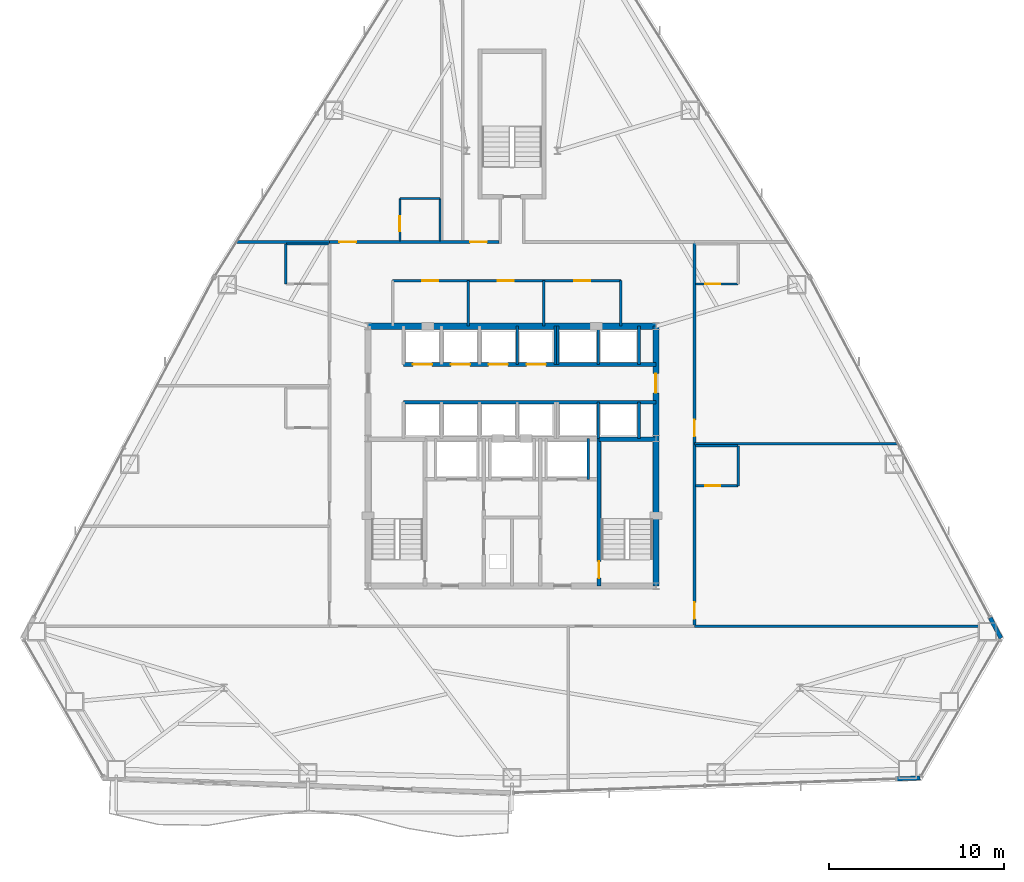
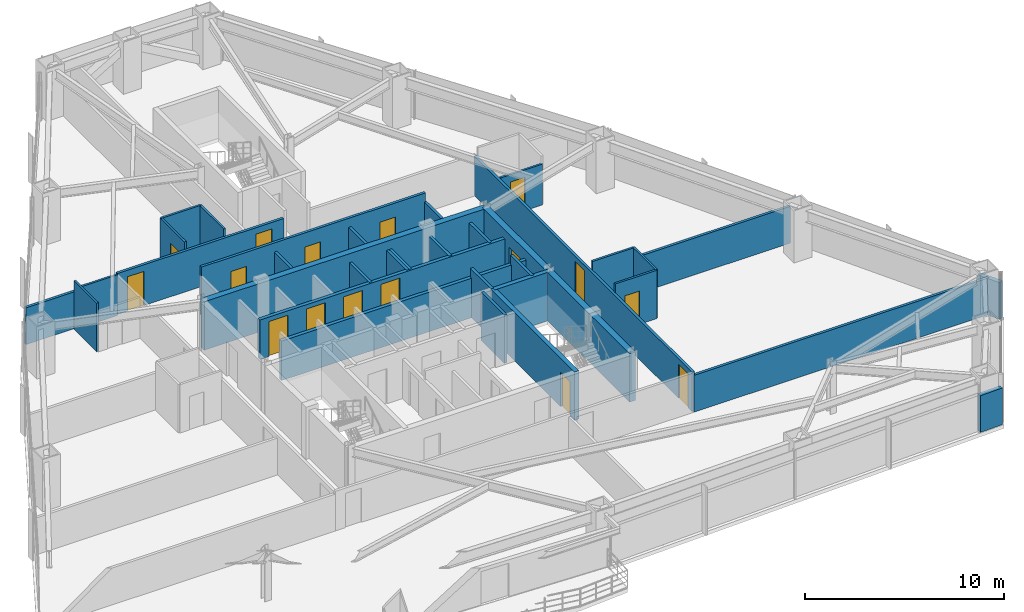
# One storey, part 10 of 13: 34 walls, 16 doors, 16 openings.
"""IFC4 building model written with IfcOpenShell, lengths in metres."""

from ifc_helpers import new_model, si_unit, direction, frame, frame_2d, origin, place, context, subcontext, project, spatial, rectangle, extrude, material, layer, layer_set, type_object, element, fill, save


model = new_model("IFC4")

# Units and contexts
model_context = context("Model", 3, precision=1e-05, world=origin(), true_north=direction((0.0, 1.0)))
body_context = subcontext(model_context, "Body", "Model", "MODEL_VIEW")
ifc_project = project(units=[si_unit("LENGTHUNIT", "METRE"), si_unit("AREAUNIT", "SQUARE_METRE"), si_unit("VOLUMEUNIT", "CUBIC_METRE"), si_unit("PLANEANGLEUNIT", "RADIAN"), si_unit("MASSUNIT", "GRAM", prefix="KILO")], contexts=[model_context])

# Site, building, storey
site_placement = place(None, origin())
site = spatial("IfcSite", under=ifc_project, at=site_placement, CompositionType="ELEMENT")
building_placement = place(site_placement, origin())
building = spatial("IfcBuilding", under=site, at=building_placement, Name="Varakhsha Concourse Tower", CompositionType="ELEMENT")
storey_placement = place(building_placement, frame((0.0, 0.0, 92.60009765625)))
storey = spatial("IfcBuildingStorey", under=building, at=storey_placement, Name="L26", CompositionType="ELEMENT", Elevation=92.60009765625)

# Wall
ifc_material_1 = material(Name="Concrete fc 65 MPa", Category="concrete")
ifc_layer_1 = layer(ifc_material_1, 0.35009765625, Name="WL-CORE-350")
ifc_layer_set_1 = layer_set([ifc_layer_1], Name="Concrete fc 65 MPa")
wall_type_1 = type_object("IfcWallType", Name="WL-CORE-350", PredefinedType="SHEAR", material=ifc_layer_set_1)
wall_1_placement = place(storey_placement, frame((31.800048828125, 31.199951171875, 0.0), z_axis=(0.0, 0.0, 1.0), x_axis=(1.0, 0.0, 0.0)))
element("IfcWall", 1, at=wall_1_placement, inside=storey, type_object=wall_type_1, Name="L26 Wall CWALL-N-L26", PredefinedType="SHEAR", context=body_context, shape_type="SweptSolid", body=[
    extrude(rectangle(XDim=16.39990234375, YDim=0.35009765625, at=frame_2d((8.199951171875, 0.0))), origin(), (0.0, 0.0, 1.0), 2.969970703125),
])

# Wall, opening, door
wall_2_placement = place(storey_placement, frame((48.199951171875, 16.39990234375, 0.0), z_axis=(0.0, 0.0, 1.0), x_axis=(0.0, 1.0, 0.0)))
wall_2 = element("IfcWall", 2, at=wall_2_placement, inside=storey, type_object=wall_type_1, Name="L26 Wall CWALL-E-L26", PredefinedType="SHEAR", context=body_context, shape_type="SweptSolid", body=[
    extrude(rectangle(XDim=14.800048828125, YDim=0.35009765625, at=frame_2d((7.39990234375, 0.0))), origin(), (0.0, 0.0, 1.0), 2.969970703125),
])
opening_1_placement = place(wall_2_placement, frame((11.0, 0.0, 0.0)))
opening_1 = element("IfcOpeningElement", 3, at=opening_1_placement, cuts=wall_2, Name="Opening DL-01", PredefinedType="OPENING", context=body_context, shape_type="SweptSolid", body=[
    extrude(rectangle(XDim=1.10009765625, YDim=2.14990234375, at=frame_2d((0.550048828125, 1.074951171875))), frame((0.0, 0.18505859375, 0.0), z_axis=(0.0, -1.0, 0.0), x_axis=(1.0, 0.0, 0.0)), (0.0, 0.0, 1.0), 0.3701171875),
])
ifc_material_2 = material(Name="Anodised Bronze Architectural Aluminium AA 6063-T6", Category="aluminium")
door_type_1 = type_object("IfcDoorType", Name="DR-LOB-1100", OperationType="NOTDEFINED", PredefinedType="DOOR", material=ifc_material_2)
door_1_placement = place(opening_1_placement, origin())
door_1 = element("IfcDoor", 4, at=door_1_placement, inside=storey, type_object=door_type_1, Name="L26 Lift Lobby East Concourse Door", OperationType="SINGLE_SWING_RIGHT", OverallHeight=2.14990234375, OverallWidth=1.10009765625, PredefinedType="DOOR", context=body_context, shape_type="SweptSolid", body=[
    extrude(rectangle(XDim=1.10009765625, YDim=2.14990234375, at=frame_2d((0.550048828125, 1.074951171875))), frame((0.0, 0.02490234375, 0.0), z_axis=(0.0, -1.0, 0.0), x_axis=(1.0, 0.0, 0.0)), (0.0, 0.0, 1.0), 0.050048828125),
])
fill(opening_1, door_1)

# Walls
ifc_material_3 = material(Name="Concrete fc 45 MPa", Category="concrete")
ifc_layer_2 = layer(ifc_material_3, 0.239990234375, Name="WL-EXT-CRN-240")
ifc_layer_set_2 = layer_set([ifc_layer_2], Name="Concrete fc 45 MPa")
wall_type_2 = type_object("IfcWallType", Name="WL-EXT-CRN-240", PredefinedType="SHEAR", material=ifc_layer_set_2)
for number, where, z_axis, x_axis, name in (
    (5, (61.948486328125, 5.40966796875, 0.0), (0.0, 0.0, 1.0), (0.999336056782, 0.03643412707, 0.0), "L26 Wind-Corner Shoulder Wall F6"),
    (6, (67.862060546875, 13.4267578125, 0.0), (0.0, 0.0, 1.0), (-0.468058524958, 0.883697469281, 0.0), "L26 Wind-Corner Shoulder Wall F8"),
):
    element("IfcWall", number, at=place(storey_placement, frame(where, z_axis=z_axis, x_axis=x_axis)), inside=storey, type_object=wall_type_2, Name=name, PredefinedType="SHEAR", context=body_context, shape_type="SweptSolid", body=[
        extrude(rectangle(XDim=1.3134765625, YDim=0.239990234375, at=frame_2d((0.65673828125, 0.0))), origin(), (0.0, 0.0, 1.0), 2.2529296875),
    ])
ifc_material_4 = material(Name="Acoustic Gypsum Board Partition Assembly", Category="gypsum")
ifc_layer_3 = layer(ifc_material_4, 0.1201171875, Name="WL-PART-120")
ifc_layer_set_3 = layer_set([ifc_layer_3], Name="Acoustic Gypsum Board Partition Assembly")
wall_type_3 = type_object("IfcWallType", Name="WL-PART-120", PredefinedType="PARTITIONING", material=ifc_layer_set_3)
wall_3_placement = place(storey_placement, frame((27.110107421875, 33.610107421875, 0.0), z_axis=(0.0, 0.0, 1.0), x_axis=(0.0, 1.0, 0.0)))
element("IfcWall", 7, at=wall_3_placement, inside=storey, type_object=wall_type_3, Name="L26 Wall ENSW-W-L26-H05", PredefinedType="PARTITIONING", context=body_context, shape_type="SweptSolid", body=[
    extrude(rectangle(XDim=2.27978515625, YDim=0.1201171875, at=frame_2d((1.139892578125, 0.0))), origin(), (0.0, 0.0, 1.0), 2.969970703125),
])
wall_4_placement = place(storey_placement, frame((27.110107421875, 35.889892578125, 0.0), z_axis=(0.0, 0.0, 1.0), x_axis=(1.0, 0.0, 0.0)))
element("IfcWall", 8, at=wall_4_placement, inside=storey, type_object=wall_type_3, Name="L26 Wall ENSW-N-L26-H05", PredefinedType="PARTITIONING", context=body_context, shape_type="SweptSolid", body=[
    extrude(rectangle(XDim=2.429931640625, YDim=0.1201171875, at=frame_2d((1.21484375, 0.0))), origin(), (0.0, 0.0, 1.0), 2.5029296875),
])
wall_5_placement = place(storey_placement, frame((52.889892578125, 22.110107421875, 0.0), z_axis=(0.0, 0.0, 1.0), x_axis=(0.0, 1.0, 0.0)))
element("IfcWall", 9, at=wall_5_placement, inside=storey, type_object=wall_type_3, Name="L26 Wall ENSW-E-L26-H06", PredefinedType="PARTITIONING", context=body_context, shape_type="SweptSolid", body=[
    extrude(rectangle(XDim=2.27978515625, YDim=0.1201171875, at=frame_2d((1.139892578125, 0.0))), origin(), (0.0, 0.0, 1.0), 2.969970703125),
])

# Wall, opening, door
wall_6_placement = place(storey_placement, frame((50.4599609375, 22.110107421875, 0.0), z_axis=(0.0, 0.0, 1.0), x_axis=(1.0, 0.0, 0.0)))
wall_6 = element("IfcWall", 10, at=wall_6_placement, inside=storey, type_object=wall_type_3, Name="L26 Wall ENSW-S-L26-H06", PredefinedType="PARTITIONING", context=body_context, shape_type="SweptSolid", body=[
    extrude(rectangle(XDim=2.429931640625, YDim=0.1201171875, at=frame_2d((1.21484375, 0.0))), origin(), (0.0, 0.0, 1.0), 2.969970703125),
])
opening_2_placement = place(wall_6_placement, frame((0.550048828125, 0.0, 0.0)))
opening_2 = element("IfcOpeningElement", 11, at=opening_2_placement, cuts=wall_6, Name="Opening DI-01", PredefinedType="OPENING", context=body_context, shape_type="SweptSolid", body=[
    extrude(rectangle(XDim=0.85009765625, YDim=2.050048828125, at=frame_2d((0.425048828125, 1.02490234375))), frame((0.0, 0.070068359375, 0.0), z_axis=(0.0, -1.0, 0.0), x_axis=(1.0, 0.0, 0.0)), (0.0, 0.0, 1.0), 0.14013671875),
])
ifc_material_5 = material(Name="Architectural Walnut Acoustic Timber Door", Category="wood")
door_type_2 = type_object("IfcDoorType", Name="DR-INT-850", OperationType="NOTDEFINED", PredefinedType="DOOR", material=ifc_material_5)
door_2_placement = place(opening_2_placement, origin())
door_2 = element("IfcDoor", 12, at=door_2_placement, inside=storey, type_object=door_type_2, Name="L26 En-suite Bathroom Door L26-H06", OperationType="SINGLE_SWING_RIGHT", OverallHeight=2.050048828125, OverallWidth=0.85009765625, PredefinedType="DOOR", context=body_context, shape_type="SweptSolid", body=[
    extrude(rectangle(XDim=0.85009765625, YDim=2.050048828125, at=frame_2d((0.425048828125, 1.02490234375))), frame((0.0, 0.02490234375, 0.0), z_axis=(0.0, -1.0, 0.0), x_axis=(1.0, 0.0, 0.0)), (0.0, 0.0, 1.0), 0.050048828125),
])
fill(opening_2, door_2)

# Wall
wall_7_placement = place(storey_placement, frame((50.4599609375, 24.389892578125, 0.0), z_axis=(0.0, 0.0, 1.0), x_axis=(1.0, 0.0, 0.0)))
element("IfcWall", 13, at=wall_7_placement, inside=storey, type_object=wall_type_3, Name="L26 Wall ENSW-N-L26-H06", PredefinedType="PARTITIONING", context=body_context, shape_type="SweptSolid", body=[
    extrude(rectangle(XDim=2.429931640625, YDim=0.1201171875, at=frame_2d((1.21484375, 0.0))), origin(), (0.0, 0.0, 1.0), 2.969970703125),
])

# Wall, opening, door
wall_8_placement = place(storey_placement, frame((50.4599609375, 33.610107421875, 0.0), z_axis=(0.0, 0.0, 1.0), x_axis=(1.0, 0.0, 0.0)))
wall_8 = element("IfcWall", 14, at=wall_8_placement, inside=storey, type_object=wall_type_3, Name="L26 Wall ENSW-S-L26-H07", PredefinedType="PARTITIONING", context=body_context, shape_type="SweptSolid", body=[
    extrude(rectangle(XDim=2.429931640625, YDim=0.1201171875, at=frame_2d((1.21484375, 0.0))), origin(), (0.0, 0.0, 1.0), 2.5029296875),
])
opening_3_placement = place(wall_8_placement, frame((0.550048828125, 0.0, 0.0)))
opening_3 = element("IfcOpeningElement", 15, at=opening_3_placement, cuts=wall_8, Name="Opening DI-01", PredefinedType="OPENING", context=body_context, shape_type="SweptSolid", body=[
    extrude(rectangle(XDim=0.85009765625, YDim=2.050048828125, at=frame_2d((0.425048828125, 1.02490234375))), frame((0.0, 0.070068359375, 0.0), z_axis=(0.0, -1.0, 0.0), x_axis=(1.0, 0.0, 0.0)), (0.0, 0.0, 1.0), 0.14013671875),
])
door_3_placement = place(opening_3_placement, origin())
door_3 = element("IfcDoor", 16, at=door_3_placement, inside=storey, type_object=door_type_2, Name="L26 En-suite Bathroom Door L26-H07", OperationType="SINGLE_SWING_RIGHT", OverallHeight=2.050048828125, OverallWidth=0.85009765625, PredefinedType="DOOR", context=body_context, shape_type="SweptSolid", body=[
    extrude(rectangle(XDim=0.85009765625, YDim=2.050048828125, at=frame_2d((0.425048828125, 1.02490234375))), frame((0.0, 0.02490234375, 0.0), z_axis=(0.0, -1.0, 0.0), x_axis=(1.0, 0.0, 0.0)), (0.0, 0.0, 1.0), 0.050048828125),
])
fill(opening_3, door_3)

wall_9_placement = place(storey_placement, frame((33.610107421875, 36.06005859375, 0.0), z_axis=(0.0, 0.0, 1.0), x_axis=(0.0, 1.0, 0.0)))
wall_9 = element("IfcWall", 17, at=wall_9_placement, inside=storey, type_object=wall_type_3, Name="L26 Wall ENSW-W-L26-H08", PredefinedType="PARTITIONING", context=body_context, shape_type="SweptSolid", body=[
    extrude(rectangle(XDim=2.429931640625, YDim=0.1201171875, at=frame_2d((1.21484375, 0.0))), origin(), (0.0, 0.0, 1.0), 2.969970703125),
])
opening_4_placement = place(wall_9_placement, frame((0.550048828125, 0.0, 0.0)))
opening_4 = element("IfcOpeningElement", 18, at=opening_4_placement, cuts=wall_9, Name="Opening DI-01", PredefinedType="OPENING", context=body_context, shape_type="SweptSolid", body=[
    extrude(rectangle(XDim=0.85009765625, YDim=2.050048828125, at=frame_2d((0.425048828125, 1.02490234375))), frame((0.0, 0.070068359375, 0.0), z_axis=(0.0, -1.0, 0.0), x_axis=(1.0, 0.0, 0.0)), (0.0, 0.0, 1.0), 0.14013671875),
])
door_4_placement = place(opening_4_placement, origin())
door_4 = element("IfcDoor", 19, at=door_4_placement, inside=storey, type_object=door_type_2, Name="L26 En-suite Bathroom Door L26-H08", OperationType="SINGLE_SWING_RIGHT", OverallHeight=2.050048828125, OverallWidth=0.85009765625, PredefinedType="DOOR", context=body_context, shape_type="SweptSolid", body=[
    extrude(rectangle(XDim=0.85009765625, YDim=2.050048828125, at=frame_2d((0.425048828125, 1.02490234375))), frame((0.0, 0.02490234375, 0.0), z_axis=(0.0, -1.0, 0.0), x_axis=(1.0, 0.0, 0.0)), (0.0, 0.0, 1.0), 0.050048828125),
])
fill(opening_4, door_4)

# Walls
wall_10_placement = place(storey_placement, frame((35.889892578125, 36.06005859375, 0.0), z_axis=(0.0, 0.0, 1.0), x_axis=(0.0, 1.0, 0.0)))
element("IfcWall", 20, at=wall_10_placement, inside=storey, type_object=wall_type_3, Name="L26 Wall ENSW-E-L26-H08", PredefinedType="PARTITIONING", context=body_context, shape_type="SweptSolid", body=[
    extrude(rectangle(XDim=2.429931640625, YDim=0.1201171875, at=frame_2d((1.21484375, 0.0))), origin(), (0.0, 0.0, 1.0), 2.969970703125),
])
wall_11_placement = place(storey_placement, frame((33.610107421875, 38.489990234375, 0.0), z_axis=(0.0, 0.0, 1.0), x_axis=(1.0, 0.0, 0.0)))
element("IfcWall", 21, at=wall_11_placement, inside=storey, type_object=wall_type_3, Name="L26 Wall ENSW-N-L26-H08", PredefinedType="PARTITIONING", context=body_context, shape_type="SweptSolid", body=[
    extrude(rectangle(XDim=2.27978515625, YDim=0.1201171875, at=frame_2d((1.139892578125, 0.0))), origin(), (0.0, 0.0, 1.0), 2.969970703125),
])

# Wall, openings, doors
ifc_material_6 = material(Name="Fire-Rated Type X Gypsum Partition Assembly", Category="gypsum")
ifc_layer_4 = layer(ifc_material_6, 0.14990234375, Name="WL-PART-150")
ifc_layer_set_4 = layer_set([ifc_layer_4], Name="Fire-Rated Type X Gypsum Partition Assembly")
wall_type_4 = type_object("IfcWallType", Name="WL-PART-150", PredefinedType="PARTITIONING", material=ifc_layer_set_4)
wall_12_placement = place(storey_placement, frame((33.199951171875, 33.800048828125, 0.0), z_axis=(0.0, 0.0, 1.0), x_axis=(1.0, 0.0, 0.0)))
wall_12 = element("IfcWall", 22, at=wall_12_placement, inside=storey, type_object=wall_type_4, Name="L26 Wall NBOH-N-L26", PredefinedType="PARTITIONING", context=body_context, shape_type="SweptSolid", body=[
    extrude(rectangle(XDim=13.0, YDim=0.14990234375, at=frame_2d((6.5, 0.0))), origin(), (0.0, 0.0, 1.0), 2.969970703125),
])
opening_5_placement = place(wall_12_placement, frame((1.699951171875, 0.0, 0.0)))
opening_5 = element("IfcOpeningElement", 23, at=opening_5_placement, cuts=wall_12, Name="Opening DF-06", PredefinedType="OPENING", context=body_context, shape_type="SweptSolid", body=[
    extrude(rectangle(XDim=0.89990234375, YDim=2.10009765625, at=frame_2d((0.449951171875, 1.050048828125))), frame((0.0, 0.0849609375, 0.0), z_axis=(0.0, -1.0, 0.0), x_axis=(1.0, 0.0, 0.0)), (0.0, 0.0, 1.0), 0.169921875),
])
opening_6_placement = place(wall_12_placement, frame((6.0, 0.0, 0.0)))
opening_6 = element("IfcOpeningElement", 24, at=opening_6_placement, cuts=wall_12, Name="Opening DF-06", PredefinedType="OPENING", context=body_context, shape_type="SweptSolid", body=[
    extrude(rectangle(XDim=0.89990234375, YDim=2.10009765625, at=frame_2d((0.449951171875, 1.050048828125))), frame((0.0, 0.0849609375, 0.0), z_axis=(0.0, -1.0, 0.0), x_axis=(1.0, 0.0, 0.0)), (0.0, 0.0, 1.0), 0.169921875),
])
opening_7_placement = place(wall_12_placement, frame((10.35009765625, 0.0, 0.0)))
opening_7 = element("IfcOpeningElement", 25, at=opening_7_placement, cuts=wall_12, Name="Opening DF-06", PredefinedType="OPENING", context=body_context, shape_type="SweptSolid", body=[
    extrude(rectangle(XDim=0.89990234375, YDim=2.10009765625, at=frame_2d((0.449951171875, 1.050048828125))), frame((0.0, 0.0849609375, 0.0), z_axis=(0.0, -1.0, 0.0), x_axis=(1.0, 0.0, 0.0)), (0.0, 0.0, 1.0), 0.169921875),
])
ifc_material_7 = material(Name="Hollow Galvanised Steel Fire Door Assembly", Category="steel")
door_type_3 = type_object("IfcDoorType", Name="DR-FD60-900", OperationType="NOTDEFINED", PredefinedType="DOOR", material=ifc_material_7)
door_5_placement = place(opening_5_placement, origin())
door_5 = element("IfcDoor", 26, at=door_5_placement, inside=storey, type_object=door_type_3, Name="L26 Housekeeping and Linen Room Door", OperationType="SINGLE_SWING_LEFT", OverallHeight=2.10009765625, OverallWidth=0.89990234375, PredefinedType="DOOR", context=body_context, shape_type="SweptSolid", body=[
    extrude(rectangle(XDim=0.89990234375, YDim=2.10009765625, at=frame_2d((0.449951171875, 1.050048828125))), frame((0.0, 0.02490234375, 0.0), z_axis=(0.0, -1.0, 0.0), x_axis=(1.0, 0.0, 0.0)), (0.0, 0.0, 1.0), 0.050048828125),
])
fill(opening_5, door_5)
door_6_placement = place(opening_6_placement, origin())
door_6 = element("IfcDoor", 27, at=door_6_placement, inside=storey, type_object=door_type_3, Name="L26 Accessible WC Door", OperationType="SINGLE_SWING_RIGHT", OverallHeight=2.10009765625, OverallWidth=0.89990234375, PredefinedType="DOOR", context=body_context, shape_type="SweptSolid", body=[
    extrude(rectangle(XDim=0.89990234375, YDim=2.10009765625, at=frame_2d((0.449951171875, 1.050048828125))), frame((0.0, 0.02490234375, 0.0), z_axis=(0.0, -1.0, 0.0), x_axis=(1.0, 0.0, 0.0)), (0.0, 0.0, 1.0), 0.050048828125),
])
fill(opening_6, door_6)
door_7_placement = place(opening_7_placement, origin())
door_7 = element("IfcDoor", 28, at=door_7_placement, inside=storey, type_object=door_type_3, Name="L26 Staff Restroom WC Door", OperationType="SINGLE_SWING_LEFT", OverallHeight=2.10009765625, OverallWidth=0.89990234375, PredefinedType="DOOR", context=body_context, shape_type="SweptSolid", body=[
    extrude(rectangle(XDim=0.89990234375, YDim=2.10009765625, at=frame_2d((0.449951171875, 1.050048828125))), frame((0.0, 0.02490234375, 0.0), z_axis=(0.0, -1.0, 0.0), x_axis=(1.0, 0.0, 0.0)), (0.0, 0.0, 1.0), 0.050048828125),
])
fill(opening_7, door_7)

# Walls
for number, where, z_axis, x_axis, name in (
    (29, (46.199951171875, 31.199951171875, 0.0), (0.0, 0.0, 1.0), (0.0, 1.0, 0.0), "L26 Wall NBOH-E-L26"),
    (30, (37.5, 31.199951171875, 0.0), (0.0, 0.0, 1.0), (0.0, 1.0, 0.0), "L26 Wall NBOH-D1-L26"),
    (31, (41.800048828125, 31.199951171875, 0.0), (0.0, 0.0, 1.0), (0.0, 1.0, 0.0), "L26 Wall NBOH-D2-L26"),
):
    element("IfcWall", number, at=place(storey_placement, frame(where, z_axis=z_axis, x_axis=x_axis)), inside=storey, type_object=wall_type_4, Name=name, PredefinedType="PARTITIONING", context=body_context, shape_type="SweptSolid", body=[
        extrude(rectangle(XDim=2.60009765625, YDim=0.14990234375, at=frame_2d((1.300048828125, 0.0))), origin(), (0.0, 0.0, 1.0), 2.4208984375),
    ])

# Wall, openings, doors
wall_13_placement = place(storey_placement, frame((29.60009765625, 36.0, 0.0), z_axis=(0.0, 0.0, 1.0), x_axis=(1.0, 0.0, 0.0)))
wall_13 = element("IfcWall", 32, at=wall_13_placement, inside=storey, type_object=wall_type_4, Name="L26 Wall CRW-N-L26", PredefinedType="PARTITIONING", context=body_context, shape_type="SweptSolid", body=[
    extrude(rectangle(XDim=9.64990234375, YDim=0.14990234375, at=frame_2d((4.824951171875, 0.0))), origin(), (0.0, 0.0, 1.0), 2.5029296875),
])
opening_8_placement = place(wall_13_placement, frame((0.570068359375, 0.0, 0.0)))
opening_8 = element("IfcOpeningElement", 33, at=opening_8_placement, cuts=wall_13, Name="Opening DF-05", PredefinedType="OPENING", context=body_context, shape_type="SweptSolid", body=[
    extrude(rectangle(XDim=0.949951171875, YDim=2.10009765625, at=frame_2d((0.47509765625, 1.050048828125))), frame((0.0, 0.0849609375, 0.0), z_axis=(0.0, -1.0, 0.0), x_axis=(1.0, 0.0, 0.0)), (0.0, 0.0, 1.0), 0.169921875),
])
opening_9_placement = place(wall_13_placement, frame((8.02001953125, 0.0, 0.0)))
opening_9 = element("IfcOpeningElement", 34, at=opening_9_placement, cuts=wall_13, Name="Opening DF-05", PredefinedType="OPENING", context=body_context, shape_type="SweptSolid", body=[
    extrude(rectangle(XDim=0.949951171875, YDim=2.10009765625, at=frame_2d((0.47509765625, 1.050048828125))), frame((0.0, 0.0849609375, 0.0), z_axis=(0.0, -1.0, 0.0), x_axis=(1.0, 0.0, 0.0)), (0.0, 0.0, 1.0), 0.169921875),
])
door_type_4 = type_object("IfcDoorType", Name="DR-FD60-950", OperationType="NOTDEFINED", PredefinedType="DOOR", material=ifc_material_7)
door_8_placement = place(opening_8_placement, origin())
door_8 = element("IfcDoor", 35, at=door_8_placement, inside=storey, type_object=door_type_4, Name="L26 Hotel Corner Suite L26-H08 Entry Door", OperationType="SINGLE_SWING_RIGHT", OverallHeight=2.10009765625, OverallWidth=0.949951171875, PredefinedType="DOOR", context=body_context, shape_type="SweptSolid", body=[
    extrude(rectangle(XDim=0.949951171875, YDim=2.10009765625, at=frame_2d((0.47509765625, 1.050048828125))), frame((0.0, 0.02490234375, 0.0), z_axis=(0.0, -1.0, 0.0), x_axis=(1.0, 0.0, 0.0)), (0.0, 0.0, 1.0), 0.050048828125),
])
fill(opening_8, door_8)
door_9_placement = place(opening_9_placement, origin())
door_9 = element("IfcDoor", 36, at=door_9_placement, inside=storey, type_object=door_type_4, Name="L26 Hospitality Conservatory Lounge L26-H09 Door", OperationType="SINGLE_SWING_LEFT", OverallHeight=2.10009765625, OverallWidth=0.949951171875, PredefinedType="DOOR", context=body_context, shape_type="SweptSolid", body=[
    extrude(rectangle(XDim=0.949951171875, YDim=2.10009765625, at=frame_2d((0.47509765625, 1.050048828125))), frame((0.0, 0.02490234375, 0.0), z_axis=(0.0, -1.0, 0.0), x_axis=(1.0, 0.0, 0.0)), (0.0, 0.0, 1.0), 0.050048828125),
])
fill(opening_9, door_9)

wall_14_placement = place(storey_placement, frame((50.39990234375, 14.10009765625, 0.0), z_axis=(0.0, 0.0, 1.0), x_axis=(0.0, 1.0, 0.0)))
wall_14 = element("IfcWall", 37, at=wall_14_placement, inside=storey, type_object=wall_type_4, Name="L26 Wall CRW-E-L26", PredefinedType="PARTITIONING", context=body_context, shape_type="SweptSolid", body=[
    extrude(rectangle(XDim=21.89990234375, YDim=0.14990234375, at=frame_2d((10.949951171875, 0.0))), origin(), (0.0, 0.0, 1.0), 2.4208984375),
])
opening_10_placement = place(wall_14_placement, frame((0.419921875, 0.0, 0.0)))
opening_10 = element("IfcOpeningElement", 38, at=opening_10_placement, cuts=wall_14, Name="Opening DF-05", PredefinedType="OPENING", context=body_context, shape_type="SweptSolid", body=[
    extrude(rectangle(XDim=0.949951171875, YDim=2.10009765625, at=frame_2d((0.47509765625, 1.050048828125))), frame((0.0, 0.0849609375, 0.0), z_axis=(0.0, -1.0, 0.0), x_axis=(1.0, 0.0, 0.0)), (0.0, 0.0, 1.0), 0.169921875),
])
opening_11_placement = place(wall_14_placement, frame((10.820068359375, 0.0, 0.0)))
opening_11 = element("IfcOpeningElement", 39, at=opening_11_placement, cuts=wall_14, Name="Opening DF-05", PredefinedType="OPENING", context=body_context, shape_type="SweptSolid", body=[
    extrude(rectangle(XDim=0.949951171875, YDim=2.10009765625, at=frame_2d((0.47509765625, 1.050048828125))), frame((0.0, 0.0849609375, 0.0), z_axis=(0.0, -1.0, 0.0), x_axis=(1.0, 0.0, 0.0)), (0.0, 0.0, 1.0), 0.169921875),
])
door_10_placement = place(opening_10_placement, origin())
door_10 = element("IfcDoor", 40, at=door_10_placement, inside=storey, type_object=door_type_4, Name="L26 Hotel Corner Suite L26-H06 Entry Door", OperationType="SINGLE_SWING_RIGHT", OverallHeight=2.10009765625, OverallWidth=0.949951171875, PredefinedType="DOOR", context=body_context, shape_type="SweptSolid", body=[
    extrude(rectangle(XDim=0.949951171875, YDim=2.10009765625, at=frame_2d((0.47509765625, 1.050048828125))), frame((0.0, 0.02490234375, 0.0), z_axis=(0.0, -1.0, 0.0), x_axis=(1.0, 0.0, 0.0)), (0.0, 0.0, 1.0), 0.050048828125),
])
fill(opening_10, door_10)
door_11_placement = place(opening_11_placement, origin())
door_11 = element("IfcDoor", 41, at=door_11_placement, inside=storey, type_object=door_type_4, Name="L26 Hotel Corner Suite L26-H07 Entry Door", OperationType="SINGLE_SWING_LEFT", OverallHeight=2.10009765625, OverallWidth=0.949951171875, PredefinedType="DOOR", context=body_context, shape_type="SweptSolid", body=[
    extrude(rectangle(XDim=0.949951171875, YDim=2.10009765625, at=frame_2d((0.47509765625, 1.050048828125))), frame((0.0, 0.02490234375, 0.0), z_axis=(0.0, -1.0, 0.0), x_axis=(1.0, 0.0, 0.0)), (0.0, 0.0, 1.0), 0.050048828125),
])
fill(opening_11, door_11)

# Walls
wall_15_placement = place(storey_placement, frame((24.297119140625, 36.0, 0.0), z_axis=(0.0, 0.0, 1.0), x_axis=(1.0, 0.0, 0.0)))
element("IfcWall", 42, at=wall_15_placement, inside=storey, type_object=wall_type_4, Name="L26 Wall HDIV-WBN-L26", PredefinedType="PARTITIONING", context=body_context, shape_type="SweptSolid", body=[
    extrude(rectangle(XDim=5.302978515625, YDim=0.14990234375, at=frame_2d((2.6513671875, 0.0))), origin(), (0.0, 0.0, 1.0), 2.2578125),
])
wall_16_placement = place(storey_placement, frame((50.39990234375, 14.10009765625, 0.0), z_axis=(0.0, 0.0, 1.0), x_axis=(1.0, 0.0, 0.0)))
element("IfcWall", 43, at=wall_16_placement, inside=storey, type_object=wall_type_4, Name="L26 Wall HDIV-EB0-L26", PredefinedType="PARTITIONING", context=body_context, shape_type="SweptSolid", body=[
    extrude(rectangle(XDim=17.099853515625, YDim=0.14990234375, at=frame_2d((8.5498046875, 0.0))), origin(), (0.0, 0.0, 1.0), 2.2578125),
])
wall_17_placement = place(storey_placement, frame((50.39990234375, 24.5, 0.0), z_axis=(0.0, 0.0, 1.0), x_axis=(1.0, 0.0, 0.0)))
element("IfcWall", 44, at=wall_17_placement, inside=storey, type_object=wall_type_4, Name="L26 Wall HDIV-E1-L26", PredefinedType="PARTITIONING", context=body_context, shape_type="SweptSolid", body=[
    extrude(rectangle(XDim=11.59033203125, YDim=0.14990234375, at=frame_2d((5.795166015625, 0.0))), origin(), (0.0, 0.0, 1.0), 2.2578125),
])
ifc_layer_5 = layer(ifc_material_6, 0.199951171875, Name="WL-SHAFT-220")
ifc_layer_set_5 = layer_set([ifc_layer_5], Name="Fire-Rated Type X Gypsum Partition Assembly")
wall_type_5 = type_object("IfcWallType", Name="WL-SHAFT-220", PredefinedType="SOLIDWALL", material=ifc_layer_set_5)
wall_18_placement = place(storey_placement, frame((44.35009765625, 22.47998046875, 0.0), z_axis=(0.0, 0.0, 1.0), x_axis=(0.0, 1.0, 0.0)))
element("IfcWall", 45, at=wall_18_placement, inside=storey, type_object=wall_type_5, Name="L26 Wall SHW-FFL-2-E-L26", PredefinedType="SOLIDWALL", context=body_context, shape_type="SweptSolid", body=[
    extrude(rectangle(XDim=2.320068359375, YDim=0.159912109375, at=frame_2d((1.16015625, 0.0))), origin(), (0.0, 0.0, 1.0), 2.969970703125),
])

# Wall, openings, doors
wall_19_placement = place(storey_placement, frame((33.820068359375, 29.02001953125, 0.0), z_axis=(0.0, 0.0, 1.0), x_axis=(1.0, 0.0, 0.0)))
wall_19 = element("IfcWall", 46, at=wall_19_placement, inside=storey, type_object=wall_type_5, Name="L26 Wall PLW-N-L26", PredefinedType="SOLIDWALL", context=body_context, shape_type="SweptSolid", body=[
    extrude(rectangle(XDim=14.3798828125, YDim=0.199951171875, at=frame_2d((7.18994140625, 0.0))), origin(), (0.0, 0.0, 1.0), 2.4208984375),
])
opening_12_placement = place(wall_19_placement, frame((0.530029296875, 0.0, 0.0)))
opening_12 = element("IfcOpeningElement", 47, at=opening_12_placement, cuts=wall_19, Name="Opening LD-LF-P01", PredefinedType="OPENING", context=body_context, shape_type="SweptSolid", body=[
    extrude(rectangle(XDim=1.10009765625, YDim=2.14990234375, at=frame_2d((0.550048828125, 1.074951171875))), frame((0.0, 0.10986328125, 0.0), z_axis=(0.0, -1.0, 0.0), x_axis=(1.0, 0.0, 0.0)), (0.0, 0.0, 1.0), 0.219970703125),
])
opening_13_placement = place(wall_19_placement, frame((2.68994140625, 0.0, 0.0)))
opening_13 = element("IfcOpeningElement", 48, at=opening_13_placement, cuts=wall_19, Name="Opening LD-LF-P02", PredefinedType="OPENING", context=body_context, shape_type="SweptSolid", body=[
    extrude(rectangle(XDim=1.10009765625, YDim=2.14990234375, at=frame_2d((0.550048828125, 1.074951171875))), frame((0.0, 0.10986328125, 0.0), z_axis=(0.0, -1.0, 0.0), x_axis=(1.0, 0.0, 0.0)), (0.0, 0.0, 1.0), 0.219970703125),
])
opening_14_placement = place(wall_19_placement, frame((4.85009765625, 0.0, 0.0)))
opening_14 = element("IfcOpeningElement", 49, at=opening_14_placement, cuts=wall_19, Name="Opening LD-LF-P03", PredefinedType="OPENING", context=body_context, shape_type="SweptSolid", body=[
    extrude(rectangle(XDim=1.10009765625, YDim=2.14990234375, at=frame_2d((0.550048828125, 1.074951171875))), frame((0.0, 0.10986328125, 0.0), z_axis=(0.0, -1.0, 0.0), x_axis=(1.0, 0.0, 0.0)), (0.0, 0.0, 1.0), 0.219970703125),
])
opening_15_placement = place(wall_19_placement, frame((7.010009765625, 0.0, 0.0)))
opening_15 = element("IfcOpeningElement", 50, at=opening_15_placement, cuts=wall_19, Name="Opening LD-LF-P04", PredefinedType="OPENING", context=body_context, shape_type="SweptSolid", body=[
    extrude(rectangle(XDim=1.10009765625, YDim=2.14990234375, at=frame_2d((0.550048828125, 1.074951171875))), frame((0.0, 0.10986328125, 0.0), z_axis=(0.0, -1.0, 0.0), x_axis=(1.0, 0.0, 0.0)), (0.0, 0.0, 1.0), 0.219970703125),
])
ifc_material_8 = material(Name="Brushed Austenitic Stainless Steel AISI 316", Category="steel")
door_type_5 = type_object("IfcDoorType", Name="DR-LD-1100", OperationType="DOUBLE_DOOR_SLIDING", PredefinedType="DOOR", material=ifc_material_8)
door_12_placement = place(opening_12_placement, origin())
door_12 = element("IfcDoor", 51, at=door_12_placement, inside=storey, type_object=door_type_5, Name="Lift Landing Door LF-P01 L26", OperationType="DOUBLE_DOOR_SLIDING", OverallHeight=2.14990234375, OverallWidth=1.10009765625, PredefinedType="DOOR", context=body_context, shape_type="SweptSolid", body=[
    extrude(rectangle(XDim=1.10009765625, YDim=2.14990234375, at=frame_2d((0.550048828125, 1.074951171875))), frame((0.0, 0.02490234375, 0.0), z_axis=(0.0, -1.0, 0.0), x_axis=(1.0, 0.0, 0.0)), (0.0, 0.0, 1.0), 0.050048828125),
])
fill(opening_12, door_12)
door_13_placement = place(opening_13_placement, origin())
door_13 = element("IfcDoor", 52, at=door_13_placement, inside=storey, type_object=door_type_5, Name="Lift Landing Door LF-P02 L26", OperationType="DOUBLE_DOOR_SLIDING", OverallHeight=2.14990234375, OverallWidth=1.10009765625, PredefinedType="DOOR", context=body_context, shape_type="SweptSolid", body=[
    extrude(rectangle(XDim=1.10009765625, YDim=2.14990234375, at=frame_2d((0.550048828125, 1.074951171875))), frame((0.0, 0.02490234375, 0.0), z_axis=(0.0, -1.0, 0.0), x_axis=(1.0, 0.0, 0.0)), (0.0, 0.0, 1.0), 0.050048828125),
])
fill(opening_13, door_13)
door_14_placement = place(opening_14_placement, origin())
door_14 = element("IfcDoor", 53, at=door_14_placement, inside=storey, type_object=door_type_5, Name="Lift Landing Door LF-P03 L26", OperationType="DOUBLE_DOOR_SLIDING", OverallHeight=2.14990234375, OverallWidth=1.10009765625, PredefinedType="DOOR", context=body_context, shape_type="SweptSolid", body=[
    extrude(rectangle(XDim=1.10009765625, YDim=2.14990234375, at=frame_2d((0.550048828125, 1.074951171875))), frame((0.0, 0.02490234375, 0.0), z_axis=(0.0, -1.0, 0.0), x_axis=(1.0, 0.0, 0.0)), (0.0, 0.0, 1.0), 0.050048828125),
])
fill(opening_14, door_14)
door_15_placement = place(opening_15_placement, origin())
door_15 = element("IfcDoor", 54, at=door_15_placement, inside=storey, type_object=door_type_5, Name="Lift Landing Door LF-P04 L26", OperationType="DOUBLE_DOOR_SLIDING", OverallHeight=2.14990234375, OverallWidth=1.10009765625, PredefinedType="DOOR", context=body_context, shape_type="SweptSolid", body=[
    extrude(rectangle(XDim=1.10009765625, YDim=2.14990234375, at=frame_2d((0.550048828125, 1.074951171875))), frame((0.0, 0.02490234375, 0.0), z_axis=(0.0, -1.0, 0.0), x_axis=(1.0, 0.0, 0.0)), (0.0, 0.0, 1.0), 0.050048828125),
])
fill(opening_15, door_15)

# Walls
wall_20_placement = place(storey_placement, frame((33.820068359375, 26.8798828125, 0.0), z_axis=(0.0, 0.0, 1.0), x_axis=(1.0, 0.0, 0.0)))
element("IfcWall", 55, at=wall_20_placement, inside=storey, type_object=wall_type_5, Name="L26 Wall PLW-S-L26", PredefinedType="SOLIDWALL", context=body_context, shape_type="SweptSolid", body=[
    extrude(rectangle(XDim=14.3798828125, YDim=0.199951171875, at=frame_2d((7.18994140625, 0.0))), origin(), (0.0, 0.0, 1.0), 2.4208984375),
])
for number, where, z_axis, x_axis, name in (
    (56, (40.300048828125, 29.02001953125, 0.0), (0.0, 0.0, 1.0), (0.0, 1.0, 0.0), "L26 Wall SHW-LF-P03-E-L26"),
    (57, (42.4599609375, 29.02001953125, 0.0), (0.0, 0.0, 1.0), (0.0, 1.0, 0.0), "L26 Wall SHW-LF-P04-E-L26"),
    (58, (42.60009765625, 29.02001953125, 0.0), (0.0, 0.0, 1.0), (0.0, 1.0, 0.0), "L26 Wall SHW-LF-P09-W-L26"),
    (59, (44.919921875, 29.02001953125, 0.0), (0.0, 0.0, 1.0), (0.0, 1.0, 0.0), "L26 Wall SHW-LF-P09-E-L26"),
    (60, (47.239990234375, 29.02001953125, 0.0), (0.0, 0.0, 1.0), (0.0, 1.0, 0.0), "L26 Wall SHW-LF-P10-E-L26"),
):
    element("IfcWall", number, at=place(storey_placement, frame(where, z_axis=z_axis, x_axis=x_axis)), inside=storey, type_object=wall_type_5, Name=name, PredefinedType="SOLIDWALL", context=body_context, shape_type="SweptSolid", body=[
        extrude(rectangle(XDim=2.179931640625, YDim=0.159912109375, at=frame_2d((1.08984375, 0.0))), origin(), (0.0, 0.0, 1.0), 2.4208984375),
    ])
for number, where, z_axis, x_axis, name in (
    (61, (44.919921875, 24.800048828125, 0.0), (0.0, 0.0, 1.0), (0.0, 1.0, 0.0), "L26 Wall SHW-LF-P11-E-L26"),
    (62, (47.239990234375, 24.800048828125, 0.0), (0.0, 0.0, 1.0), (0.0, 1.0, 0.0), "L26 Wall SHW-LF-P12-E-L26"),
):
    element("IfcWall", number, at=place(storey_placement, frame(where, z_axis=z_axis, x_axis=x_axis)), inside=storey, type_object=wall_type_5, Name=name, PredefinedType="SOLIDWALL", context=body_context, shape_type="SweptSolid", body=[
        extrude(rectangle(XDim=2.079833984375, YDim=0.159912109375, at=frame_2d((1.0400390625, 0.0))), origin(), (0.0, 0.0, 1.0), 2.969970703125),
    ])

# Wall, opening, door
ifc_layer_6 = layer(ifc_material_3, 0.25, Name="WL-STAIR-250")
ifc_layer_set_6 = layer_set([ifc_layer_6], Name="Concrete fc 45 MPa")
wall_type_6 = type_object("IfcWallType", Name="WL-STAIR-250", PredefinedType="SHEAR", material=ifc_layer_set_6)
wall_21_placement = place(storey_placement, frame((44.955078125, 16.39990234375, 0.0), z_axis=(0.0, 0.0, 1.0), x_axis=(0.0, 1.0, 0.0)))
wall_21 = element("IfcWall", 63, at=wall_21_placement, inside=storey, type_object=wall_type_6, Name="L26 Wall SWALL-ST2-W-L26", PredefinedType="SHEAR", context=body_context, shape_type="SweptSolid", body=[
    extrude(rectangle(XDim=8.400146484375, YDim=0.25, at=frame_2d((4.2001953125, 0.0))), origin(), (0.0, 0.0, 1.0), 2.969970703125),
])
opening_16_placement = place(wall_21_placement, frame((0.449951171875, 0.0, 0.0)))
opening_16 = element("IfcOpeningElement", 64, at=opening_16_placement, cuts=wall_21, Name="Opening DF-03", PredefinedType="OPENING", context=body_context, shape_type="SweptSolid", body=[
    extrude(rectangle(XDim=0.949951171875, YDim=2.10009765625, at=frame_2d((0.47509765625, 1.050048828125))), frame((0.0, 0.135009765625, 0.0), z_axis=(0.0, -1.0, 0.0), x_axis=(1.0, 0.0, 0.0)), (0.0, 0.0, 1.0), 0.27001953125),
])
door_type_6 = type_object("IfcDoorType", Name="DR-FD90-950", OperationType="NOTDEFINED", PredefinedType="DOOR", material=ifc_material_7)
door_16_placement = place(opening_16_placement, origin())
door_16 = element("IfcDoor", 65, at=door_16_placement, inside=storey, type_object=door_type_6, Name="L26 Stair ST2 Fire Door", OperationType="SINGLE_SWING_RIGHT", OverallHeight=2.10009765625, OverallWidth=0.949951171875, PredefinedType="DOOR", context=body_context, shape_type="SweptSolid", body=[
    extrude(rectangle(XDim=0.949951171875, YDim=2.10009765625, at=frame_2d((0.47509765625, 1.050048828125))), frame((0.0, 0.02490234375, 0.0), z_axis=(0.0, -1.0, 0.0), x_axis=(1.0, 0.0, 0.0)), (0.0, 0.0, 1.0), 0.050048828125),
])
fill(opening_16, door_16)

# Wall
wall_22_placement = place(storey_placement, frame((44.955078125, 24.7548828125, 0.0), z_axis=(0.0, 0.0, 1.0), x_axis=(1.0, 0.0, 0.0)))
element("IfcWall", 66, at=wall_22_placement, inside=storey, type_object=wall_type_6, Name="L26 Wall SWALL-ST2-N-L26", PredefinedType="SHEAR", context=body_context, shape_type="SweptSolid", body=[
    extrude(rectangle(XDim=3.244873046875, YDim=0.25, at=frame_2d((1.62255859375, 0.0))), origin(), (0.0, 0.0, 1.0), 2.969970703125),
])

save(model, "model.ifc")
